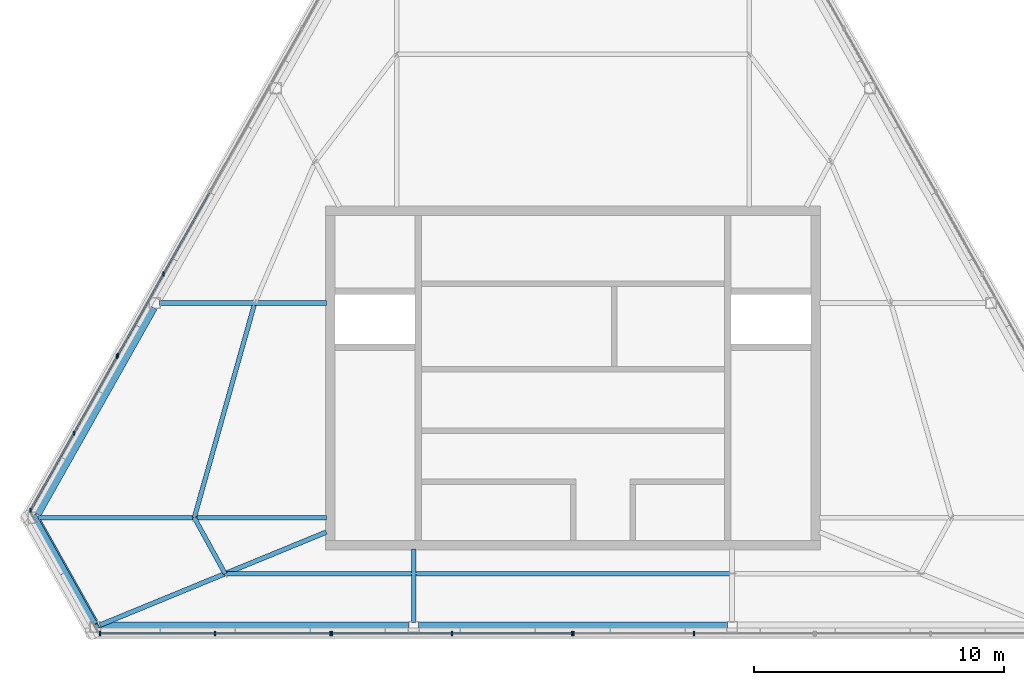
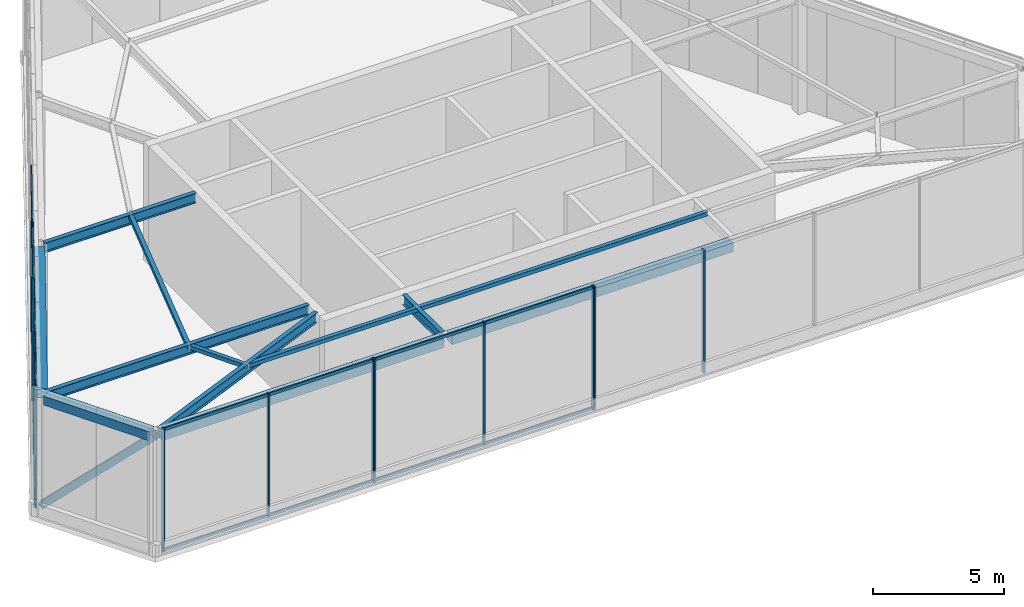
# One storey, part 2 of 12: 26 members, 8 beams, 5 elements without a shape of their own.
"""IFC4 building model written with IfcOpenShell, lengths in metres."""

from ifc_helpers import new_model, si_unit, direction, frame, origin, origin_2d, place, context, subcontext, project, spatial, rectangle, hollow_rectangle, i_section, extrude, material, layer, layer_set, material_profile, profile_set, type_object, element, aggregate, save


model = new_model("IFC4")

# Units and contexts
model_context = context("Model", 3, precision=1e-05, world=origin(), true_north=direction((0.0, 1.0)))
body_context = subcontext(model_context, "Body", "Model", "MODEL_VIEW")
ifc_project = project(units=[si_unit("LENGTHUNIT", "METRE"), si_unit("AREAUNIT", "SQUARE_METRE"), si_unit("VOLUMEUNIT", "CUBIC_METRE"), si_unit("PLANEANGLEUNIT", "RADIAN"), si_unit("MASSUNIT", "GRAM", prefix="KILO")], contexts=[model_context])

# Site, building, storey
site_placement = place(None, origin())
site = spatial("IfcSite", under=ifc_project, at=site_placement, CompositionType="ELEMENT")
building_placement = place(site_placement, origin())
building = spatial("IfcBuilding", under=site, at=building_placement, Name="Kavelnor Concourse Tower", CompositionType="ELEMENT")
storey_placement = place(building_placement, frame((0.0, 0.0, 315.699951171875)))
storey = spatial("IfcBuildingStorey", under=building, at=storey_placement, Name="L79", CompositionType="ELEMENT", Elevation=315.699951171875)

# Beams
ifc_material_1 = material(Name="Steel Grade 350", Category="steel")
ifc_material_profile_1 = material_profile(ifc_material_1, hollow_rectangle(XDim=0.419921875, YDim=0.419921875, WallThickness=0.02001953125, at=origin_2d()), Name="RHS 420x420x20")
ifc_profile_set_1 = profile_set([ifc_material_profile_1], Name="Steel Grade 350")
beam_type_1 = type_object("IfcBeamType", Name="BM-CROWN-CAP-420", PredefinedType="BEAM", material=ifc_profile_set_1)
beam_1_placement = place(storey_placement, frame((21.182373046875, 18.931640625, 5.31005859375), z_axis=(-0.490736882662, -0.871307817017, 0.0), x_axis=(0.871307817017, -0.490736882662, 0.0)))
element("IfcBeam", 1, at=beam_1_placement, inside=storey, type_object=beam_type_1, Name="L79 Crown Frame Cap Ring Beam 03", PredefinedType="BEAM", context=body_context, shape_type="SweptSolid", body=[
    extrude(hollow_rectangle(XDim=0.419921875, YDim=0.419921875, WallThickness=0.02001953125, at=origin_2d()), origin(), (0.0, 0.0, 1.0), 9.478271484375),
])
beam_2_placement = place(storey_placement, frame((16.531005859375, 10.342041015625, 5.31005859375), z_axis=(0.490715989154, -0.871319584302, 0.0), x_axis=(0.871319584302, 0.490715989154, 0.0)))
element("IfcBeam", 2, at=beam_2_placement, inside=storey, type_object=beam_type_1, Name="L79 Crown Frame Cap Ring Beam 04", PredefinedType="BEAM", context=body_context, shape_type="SweptSolid", body=[
    extrude(hollow_rectangle(XDim=0.419921875, YDim=0.419921875, WallThickness=0.02001953125, at=origin_2d()), origin(), (0.0, 0.0, 1.0), 4.638427734375),
])
beam_3_placement = place(storey_placement, frame((19.09033203125, 6.135009765625, 5.31005859375), z_axis=(1.0, 0.0, 0.0), x_axis=(0.0, 1.0, 0.0)))
element("IfcBeam", 3, at=beam_3_placement, inside=storey, type_object=beam_type_1, Name="L79 Crown Frame Cap Ring Beam 05", PredefinedType="BEAM", context=body_context, shape_type="SweptSolid", body=[
    extrude(hollow_rectangle(XDim=0.419921875, YDim=0.419921875, WallThickness=0.02001953125, at=origin_2d()), origin(), (0.0, 0.0, 1.0), 12.353271484375),
])
beam_4_placement = place(storey_placement, frame((31.823486328125, 6.135009765625, 5.31005859375), z_axis=(1.0, 0.0, 0.0), x_axis=(0.0, 1.0, 0.0)))
element("IfcBeam", 4, at=beam_4_placement, inside=storey, type_object=beam_type_1, Name="L79 Crown Frame Cap Ring Beam 06", PredefinedType="BEAM", context=body_context, shape_type="SweptSolid", body=[
    extrude(hollow_rectangle(XDim=0.419921875, YDim=0.419921875, WallThickness=0.02001953125, at=origin_2d()), origin(), (0.0, 0.0, 1.0), 12.35302734375),
])
ifc_material_profile_2 = material_profile(ifc_material_1, i_section(OverallWidth=0.18994140625, OverallDepth=0.4541015625, WebThickness=0.008544921875, FlangeThickness=0.0126953125, at=origin_2d()), Name="460UB67")
ifc_profile_set_2 = profile_set([ifc_material_profile_2], Name="Steel Grade 350")
beam_type_2 = type_object("IfcBeamType", Name="BM-PRIMARY-460", PredefinedType="BEAM", material=ifc_profile_set_2)
beam_5_placement = place(storey_placement, frame((28.139892578125, 19.09716796875, 5.29296875), z_axis=(-1.0, 0.0, 0.0), x_axis=(0.0, -1.0, 0.0)))
element("IfcBeam", 5, at=beam_5_placement, inside=storey, type_object=beam_type_2, Name="L79 Crown Frame Radial Girder F0B4", PredefinedType="BEAM", context=body_context, shape_type="SweptSolid", body=[
    extrude(i_section(OverallWidth=0.18994140625, OverallDepth=0.4541015625, WebThickness=0.008544921875, FlangeThickness=0.0126953125, at=origin_2d()), origin(), (0.0, 0.0, 1.0), 6.679443359375),
])
beam_6_placement = place(storey_placement, frame((28.139892578125, 10.507568359375, 5.29296875), z_axis=(-1.0, 0.0, 0.0), x_axis=(0.0, -1.0, 0.0)))
element("IfcBeam", 6, at=beam_6_placement, inside=storey, type_object=beam_type_2, Name="L79 Crown Frame Radial Girder F0B6", PredefinedType="BEAM", context=body_context, shape_type="SweptSolid", body=[
    extrude(i_section(OverallWidth=0.18994140625, OverallDepth=0.4541015625, WebThickness=0.008544921875, FlangeThickness=0.0126953125, at=origin_2d()), origin(), (0.0, 0.0, 1.0), 11.51708984375),
])
beam_7_placement = place(storey_placement, frame((28.136962890625, 9.930419921875, 5.29296875), z_axis=(-0.924961076242, -0.380061846858, 0.0), x_axis=(0.380061846858, -0.924961076242, 0.0)))
element("IfcBeam", 7, at=beam_7_placement, inside=storey, type_object=beam_type_2, Name="L79 Crown Frame Radial Girder F1B0", PredefinedType="BEAM", context=body_context, shape_type="SweptSolid", body=[
    extrude(i_section(OverallWidth=0.18994140625, OverallDepth=0.4541015625, WebThickness=0.008544921875, FlangeThickness=0.0126953125, at=origin_2d()), origin(), (0.0, 0.0, 1.0), 9.78271484375),
])
beam_8_placement = place(storey_placement, frame((31.633544921875, 9.260009765625, 5.29296875), z_axis=(0.0, -1.0, 0.0), x_axis=(1.0, 0.0, 0.0)))
element("IfcBeam", 8, at=beam_8_placement, inside=storey, type_object=beam_type_2, Name="L79 Crown Frame Radial Girder F1B2", PredefinedType="BEAM", context=body_context, shape_type="SweptSolid", body=[
    extrude(i_section(OverallWidth=0.18994140625, OverallDepth=0.4541015625, WebThickness=0.008544921875, FlangeThickness=0.0126953125, at=origin_2d()), origin(), (0.0, 0.0, 1.0), 2.93994140625),
])

# Curtain wall, members
ifc_material_2 = material(Name="Anodised aluminium 6063-T6", Category="aluminium")
ifc_layer = layer(ifc_material_2, 0.1650390625, Name="Anodised aluminium 6063-T6")
ifc_layer_set = layer_set([ifc_layer], Name="Anodised aluminium 6063-T6")
curtain_wall_type = type_object("IfcCurtainWallType", Name="CW-CROWN-SCREEN", PredefinedType="NOTDEFINED", material=ifc_layer_set)
curtain_wall_1_placement = place(storey_placement, origin())
curtain_wall_1 = element("IfcCurtainWall", 9, at=curtain_wall_1_placement, inside=storey, type_object=curtain_wall_type, Name="L79 Crown Fritted Screen Curtain Wall E1-S3", PredefinedType="NOTDEFINED")
ifc_material_profile_3 = material_profile(ifc_material_2, rectangle(XDim=0.06005859375, YDim=0.1650390625, at=origin_2d()), Name="AL-MULL 60x165")
ifc_profile_set_3 = profile_set([ifc_material_profile_3], Name="Anodised aluminium 6063-T6")
member_type_1 = type_object("IfcMemberType", Name="CW-CROWN-SCREEN-MULL", PredefinedType="MULLION", material=ifc_profile_set_3)
member_1_placement = place(storey_placement, frame((21.627197265625, 20.251708984375, 0.0), z_axis=(0.0, 0.0, 1.0), x_axis=(1.0, 0.0, 0.0)))
member_1 = element("IfcMember", 10, at=member_1_placement, type_object=member_type_1, Name="L79 Crown Fritted Screen Curtain Wall E1-S3 Mullion 1", PredefinedType="MULLION", context=body_context, shape_type="SweptSolid", body=[
    extrude(rectangle(XDim=0.06005859375, YDim=0.1650390625, at=origin_2d()), origin(), (0.0, 0.0, 1.0), 5.72998046875),
])
member_2_placement = place(storey_placement, frame((19.798828125, 17.00537109375, 0.0), z_axis=(0.0, 0.0, 1.0), x_axis=(1.0, 0.0, 0.0)))
member_2 = element("IfcMember", 11, at=member_2_placement, type_object=member_type_1, Name="L79 Crown Fritted Screen Curtain Wall E1-S3 Mullion 2", PredefinedType="MULLION", context=body_context, shape_type="SweptSolid", body=[
    extrude(rectangle(XDim=0.06005859375, YDim=0.1650390625, at=origin_2d()), origin(), (0.0, 0.0, 1.0), 5.72998046875),
])

curtain_wall_2_placement = place(storey_placement, origin())
curtain_wall_2 = element("IfcCurtainWall", 12, at=curtain_wall_2_placement, inside=storey, type_object=curtain_wall_type, Name="L79 Crown Fritted Screen Curtain Wall E1-S4", PredefinedType="NOTDEFINED")
member_3_placement = place(storey_placement, frame((19.76953125, 16.953125, 0.0), z_axis=(0.0, 0.0, 1.0), x_axis=(1.0, 0.0, 0.0)))
member_3 = element("IfcMember", 13, at=member_3_placement, type_object=member_type_1, Name="L79 Crown Fritted Screen Curtain Wall E1-S4 Mullion 0", PredefinedType="MULLION", context=body_context, shape_type="SweptSolid", body=[
    extrude(rectangle(XDim=0.06005859375, YDim=0.1650390625, at=origin_2d()), origin(), (0.0, 0.0, 1.0), 5.72998046875),
])
member_4_placement = place(storey_placement, frame((18.039306640625, 13.881103515625, 0.0), z_axis=(0.0, 0.0, 1.0), x_axis=(1.0, 0.0, 0.0)))
member_4 = element("IfcMember", 14, at=member_4_placement, type_object=member_type_1, Name="L79 Crown Fritted Screen Curtain Wall E1-S4 Mullion 1", PredefinedType="MULLION", context=body_context, shape_type="SweptSolid", body=[
    extrude(rectangle(XDim=0.06005859375, YDim=0.1650390625, at=origin_2d()), origin(), (0.0, 0.0, 1.0), 5.72998046875),
])
member_5_placement = place(storey_placement, frame((16.30908203125, 10.80908203125, 0.0), z_axis=(0.0, 0.0, 1.0), x_axis=(1.0, 0.0, 0.0)))
member_5 = element("IfcMember", 15, at=member_5_placement, type_object=member_type_1, Name="L79 Crown Fritted Screen Curtain Wall E1-S4 Mullion 2", PredefinedType="MULLION", context=body_context, shape_type="SweptSolid", body=[
    extrude(rectangle(XDim=0.06005859375, YDim=0.1650390625, at=origin_2d()), origin(), (0.0, 0.0, 1.0), 5.72998046875),
])

curtain_wall_3_placement = place(storey_placement, origin())
curtain_wall_3 = element("IfcCurtainWall", 16, at=curtain_wall_3_placement, inside=storey, type_object=curtain_wall_type, Name="L79 Crown Fritted Screen Curtain Wall E3-S1", PredefinedType="NOTDEFINED")
member_6_placement = place(storey_placement, frame((19.08984375, 5.875, 0.0), z_axis=(0.0, 0.0, 1.0), x_axis=(1.0, 0.0, 0.0)))
member_6 = element("IfcMember", 17, at=member_6_placement, type_object=member_type_1, Name="L79 Crown Fritted Screen Curtain Wall E3-S1 Mullion 0", PredefinedType="MULLION", context=body_context, shape_type="SweptSolid", body=[
    extrude(rectangle(XDim=0.06005859375, YDim=0.1650390625, at=origin_2d()), origin(), (0.0, 0.0, 1.0), 5.72998046875),
])
member_7_placement = place(storey_placement, frame((23.69482421875, 5.875, 0.0), z_axis=(0.0, 0.0, 1.0), x_axis=(1.0, 0.0, 0.0)))
member_7 = element("IfcMember", 18, at=member_7_placement, type_object=member_type_1, Name="L79 Crown Fritted Screen Curtain Wall E3-S1 Mullion 1", PredefinedType="MULLION", context=body_context, shape_type="SweptSolid", body=[
    extrude(rectangle(XDim=0.06005859375, YDim=0.1650390625, at=origin_2d()), origin(), (0.0, 0.0, 1.0), 5.72998046875),
])
member_8_placement = place(storey_placement, frame((28.2998046875, 5.875, 0.0), z_axis=(0.0, 0.0, 1.0), x_axis=(1.0, 0.0, 0.0)))
member_8 = element("IfcMember", 19, at=member_8_placement, type_object=member_type_1, Name="L79 Crown Fritted Screen Curtain Wall E3-S1 Mullion 2", PredefinedType="MULLION", context=body_context, shape_type="SweptSolid", body=[
    extrude(rectangle(XDim=0.06005859375, YDim=0.1650390625, at=origin_2d()), origin(), (0.0, 0.0, 1.0), 5.72998046875),
])

curtain_wall_4_placement = place(storey_placement, origin())
curtain_wall_4 = element("IfcCurtainWall", 20, at=curtain_wall_4_placement, inside=storey, type_object=curtain_wall_type, Name="L79 Crown Fritted Screen Curtain Wall E3-S2", PredefinedType="NOTDEFINED")
member_9_placement = place(storey_placement, frame((28.360107421875, 5.875, 0.0), z_axis=(0.0, 0.0, 1.0), x_axis=(1.0, 0.0, 0.0)))
member_9 = element("IfcMember", 21, at=member_9_placement, type_object=member_type_1, Name="L79 Crown Fritted Screen Curtain Wall E3-S2 Mullion 0", PredefinedType="MULLION", context=body_context, shape_type="SweptSolid", body=[
    extrude(rectangle(XDim=0.06005859375, YDim=0.1650390625, at=origin_2d()), origin(), (0.0, 0.0, 1.0), 5.72998046875),
])
member_10_placement = place(storey_placement, frame((33.1650390625, 5.875, 0.0), z_axis=(0.0, 0.0, 1.0), x_axis=(1.0, 0.0, 0.0)))
member_10 = element("IfcMember", 22, at=member_10_placement, type_object=member_type_1, Name="L79 Crown Fritted Screen Curtain Wall E3-S2 Mullion 1", PredefinedType="MULLION", context=body_context, shape_type="SweptSolid", body=[
    extrude(rectangle(XDim=0.06005859375, YDim=0.1650390625, at=origin_2d()), origin(), (0.0, 0.0, 1.0), 5.72998046875),
])
member_11_placement = place(storey_placement, frame((37.969970703125, 5.875, 0.0), z_axis=(0.0, 0.0, 1.0), x_axis=(1.0, 0.0, 0.0)))
member_11 = element("IfcMember", 23, at=member_11_placement, type_object=member_type_1, Name="L79 Crown Fritted Screen Curtain Wall E3-S2 Mullion 2", PredefinedType="MULLION", context=body_context, shape_type="SweptSolid", body=[
    extrude(rectangle(XDim=0.06005859375, YDim=0.1650390625, at=origin_2d()), origin(), (0.0, 0.0, 1.0), 5.72998046875),
])

curtain_wall_5_placement = place(storey_placement, origin())
curtain_wall_5 = element("IfcCurtainWall", 24, at=curtain_wall_5_placement, inside=storey, type_object=curtain_wall_type, Name="L79 Crown Fritted Screen Curtain Wall E3-S3", PredefinedType="NOTDEFINED")
member_12_placement = place(storey_placement, frame((38.030029296875, 5.875, 0.0), z_axis=(0.0, 0.0, 1.0), x_axis=(1.0, 0.0, 0.0)))
member_12 = element("IfcMember", 25, at=member_12_placement, type_object=member_type_1, Name="L79 Crown Fritted Screen Curtain Wall E3-S3 Mullion 0", PredefinedType="MULLION", context=body_context, shape_type="SweptSolid", body=[
    extrude(rectangle(XDim=0.06005859375, YDim=0.1650390625, at=origin_2d()), origin(), (0.0, 0.0, 1.0), 5.72998046875),
])
member_13_placement = place(storey_placement, frame((42.8349609375, 5.875, 0.0), z_axis=(0.0, 0.0, 1.0), x_axis=(1.0, 0.0, 0.0)))
member_13 = element("IfcMember", 26, at=member_13_placement, type_object=member_type_1, Name="L79 Crown Fritted Screen Curtain Wall E3-S3 Mullion 1", PredefinedType="MULLION", context=body_context, shape_type="SweptSolid", body=[
    extrude(rectangle(XDim=0.06005859375, YDim=0.1650390625, at=origin_2d()), origin(), (0.0, 0.0, 1.0), 5.72998046875),
])
aggregate(curtain_wall_5, [member_12, member_13])

# Member
ifc_material_profile_4 = material_profile(ifc_material_2, rectangle(XDim=0.06005859375, YDim=0.135009765625, at=origin_2d()), Name="AL-TRAN 60x135")
ifc_profile_set_4 = profile_set([ifc_material_profile_4], Name="Anodised aluminium 6063-T6")
member_type_2 = type_object("IfcMemberType", Name="CW-CROWN-SCREEN-TRAN", PredefinedType="USERDEFINED", material=ifc_profile_set_4)
member_14_placement = place(storey_placement, frame((23.45556640625, 23.497802734375, 0.06005859375), z_axis=(-0.490744949201, -0.871303273742, 0.0), x_axis=(0.871303273742, -0.490744949201, 0.0)))
member_14 = element("IfcMember", 27, at=member_14_placement, type_object=member_type_2, Name="L79 Crown Fritted Screen Curtain Wall E1-S3 Transom 0-BOT", ObjectType="TRANSOM", PredefinedType="USERDEFINED", context=body_context, shape_type="SweptSolid", body=[
    extrude(rectangle(XDim=0.06005859375, YDim=0.135009765625, at=origin_2d()), origin(), (0.0, 0.0, 1.0), 7.451416015625),
])

member_15_placement = place(storey_placement, frame((23.45556640625, 23.497802734375, 5.670166015625), z_axis=(-0.490744949201, -0.871303273742, 0.0), x_axis=(0.871303273742, -0.490744949201, 0.0)))
member_15 = element("IfcMember", 28, at=member_15_placement, type_object=member_type_2, Name="L79 Crown Fritted Screen Curtain Wall E1-S3 Transom 0-TOP", ObjectType="TRANSOM", PredefinedType="USERDEFINED", context=body_context, shape_type="SweptSolid", body=[
    extrude(rectangle(XDim=0.06005859375, YDim=0.135009765625, at=origin_2d()), origin(), (0.0, 0.0, 1.0), 7.451416015625),
])

aggregate(curtain_wall_1, [member_1, member_2, member_14, member_15])

member_16_placement = place(storey_placement, frame((19.76953125, 16.953125, 0.06005859375), z_axis=(-0.49073786638, -0.871307262968, 0.0), x_axis=(0.871307262968, -0.49073786638, 0.0)))
member_16 = element("IfcMember", 29, at=member_16_placement, type_object=member_type_2, Name="L79 Crown Fritted Screen Curtain Wall E1-S4 Transom 0-BOT", ObjectType="TRANSOM", PredefinedType="USERDEFINED", context=body_context, shape_type="SweptSolid", body=[
    extrude(rectangle(XDim=0.06005859375, YDim=0.135009765625, at=origin_2d()), origin(), (0.0, 0.0, 1.0), 7.051513671875),
])

member_17_placement = place(storey_placement, frame((19.76953125, 16.953125, 5.670166015625), z_axis=(-0.49073786638, -0.871307262968, 0.0), x_axis=(0.871307262968, -0.49073786638, 0.0)))
member_17 = element("IfcMember", 30, at=member_17_placement, type_object=member_type_2, Name="L79 Crown Fritted Screen Curtain Wall E1-S4 Transom 0-TOP", ObjectType="TRANSOM", PredefinedType="USERDEFINED", context=body_context, shape_type="SweptSolid", body=[
    extrude(rectangle(XDim=0.06005859375, YDim=0.135009765625, at=origin_2d()), origin(), (0.0, 0.0, 1.0), 7.051513671875),
])

aggregate(curtain_wall_2, [member_3, member_4, member_5, member_16, member_17])

member_18_placement = place(storey_placement, frame((19.08984375, 5.875, 0.06005859375), z_axis=(1.0, 0.0, 0.0), x_axis=(0.0, 1.0, 0.0)))
member_18 = element("IfcMember", 31, at=member_18_placement, type_object=member_type_2, Name="L79 Crown Fritted Screen Curtain Wall E3-S1 Transom 0-BOT", ObjectType="TRANSOM", PredefinedType="USERDEFINED", context=body_context, shape_type="SweptSolid", body=[
    extrude(rectangle(XDim=0.06005859375, YDim=0.135009765625, at=origin_2d()), origin(), (0.0, 0.0, 1.0), 9.2099609375),
])

member_19_placement = place(storey_placement, frame((19.08984375, 5.875, 5.670166015625), z_axis=(1.0, 0.0, 0.0), x_axis=(0.0, 1.0, 0.0)))
member_19 = element("IfcMember", 32, at=member_19_placement, type_object=member_type_2, Name="L79 Crown Fritted Screen Curtain Wall E3-S1 Transom 0-TOP", ObjectType="TRANSOM", PredefinedType="USERDEFINED", context=body_context, shape_type="SweptSolid", body=[
    extrude(rectangle(XDim=0.06005859375, YDim=0.135009765625, at=origin_2d()), origin(), (0.0, 0.0, 1.0), 9.2099609375),
])

aggregate(curtain_wall_3, [member_6, member_7, member_8, member_18, member_19])

member_20_placement = place(storey_placement, frame((28.360107421875, 5.875, 0.06005859375), z_axis=(1.0, 0.0, 0.0), x_axis=(0.0, 1.0, 0.0)))
member_20 = element("IfcMember", 33, at=member_20_placement, type_object=member_type_2, Name="L79 Crown Fritted Screen Curtain Wall E3-S2 Transom 0-BOT", ObjectType="TRANSOM", PredefinedType="USERDEFINED", context=body_context, shape_type="SweptSolid", body=[
    extrude(rectangle(XDim=0.06005859375, YDim=0.135009765625, at=origin_2d()), origin(), (0.0, 0.0, 1.0), 9.60986328125),
])

member_21_placement = place(storey_placement, frame((28.360107421875, 5.875, 5.670166015625), z_axis=(1.0, 0.0, 0.0), x_axis=(0.0, 1.0, 0.0)))
member_21 = element("IfcMember", 34, at=member_21_placement, type_object=member_type_2, Name="L79 Crown Fritted Screen Curtain Wall E3-S2 Transom 0-TOP", ObjectType="TRANSOM", PredefinedType="USERDEFINED", context=body_context, shape_type="SweptSolid", body=[
    extrude(rectangle(XDim=0.06005859375, YDim=0.135009765625, at=origin_2d()), origin(), (0.0, 0.0, 1.0), 9.60986328125),
])

aggregate(curtain_wall_4, [member_9, member_10, member_11, member_20, member_21])

# Members
ifc_material_profile_5 = material_profile(ifc_material_1, hollow_rectangle(XDim=0.300048828125, YDim=0.300048828125, WallThickness=0.01611328125, at=origin_2d()), Name="SHS 300x300x16")
ifc_profile_set_5 = profile_set([ifc_material_profile_5], Name="Steel Grade 350")
member_type_3 = type_object("IfcMemberType", Name="MBR-CROWN-BRACE-300", PredefinedType="BRACE", material=ifc_profile_set_5)
member_22_placement = place(storey_placement, frame((16.437744140625, 10.507568359375, 0.300048828125), z_axis=(0.347285584994, -0.616623855184, 0.706518042001), x_axis=(0.871312964664, 0.490727742857, 0.0)))
element("IfcMember", 35, at=member_22_placement, inside=storey, type_object=member_type_3, Name="L79 Crown Frame Diagonal Brace 04", PredefinedType="BRACE", context=body_context, shape_type="SweptSolid", body=[
    extrude(hollow_rectangle(XDim=0.300048828125, YDim=0.300048828125, WallThickness=0.01611328125, at=origin_2d()), origin(), (0.0, 0.0, 1.0), 7.091064453125),
])
ifc_material_profile_6 = material_profile(ifc_material_1, hollow_rectangle(XDim=0.179931640625, YDim=0.179931640625, WallThickness=0.010009765625, at=origin_2d()), Name="SHS 180x180x10")
ifc_profile_set_6 = profile_set([ifc_material_profile_6], Name="Steel Grade 350")
member_type_4 = type_object("IfcMemberType", Name="MBR-ROOF-PURLIN-180", PredefinedType="PURLIN", material=ifc_profile_set_6)
member_23_placement = place(storey_placement, frame((25.27783203125, 19.09716796875, 5.429931640625), z_axis=(-0.271069606961, -0.962559747851, 0.0), x_axis=(0.962559747851, -0.271069606961, 0.0)))
element("IfcMember", 36, at=member_23_placement, inside=storey, type_object=member_type_4, Name="L79 Crown Roof Purlin 03", PredefinedType="PURLIN", context=body_context, shape_type="SweptSolid", body=[
    extrude(hollow_rectangle(XDim=0.179931640625, YDim=0.179931640625, WallThickness=0.010009765625, at=origin_2d()), origin(), (0.0, 0.0, 1.0), 8.923583984375),
])
member_24_placement = place(storey_placement, frame((22.85888671875, 10.507568359375, 5.429931640625), z_axis=(0.481680403632, -0.876346956837, 0.0), x_axis=(0.876346956837, 0.481680403632, 0.0)))
element("IfcMember", 37, at=member_24_placement, inside=storey, type_object=member_type_4, Name="L79 Crown Roof Purlin 04", PredefinedType="PURLIN", context=body_context, shape_type="SweptSolid", body=[
    extrude(hollow_rectangle(XDim=0.179931640625, YDim=0.179931640625, WallThickness=0.010009765625, at=origin_2d()), origin(), (0.0, 0.0, 1.0), 2.55615234375),
])
member_25_placement = place(storey_placement, frame((24.090087890625, 8.267578125, 5.429931640625), z_axis=(1.0, 0.0, 0.0), x_axis=(0.0, 1.0, 0.0)))
element("IfcMember", 38, at=member_25_placement, inside=storey, type_object=member_type_4, Name="L79 Crown Roof Purlin 05", PredefinedType="PURLIN", context=body_context, shape_type="SweptSolid", body=[
    extrude(hollow_rectangle(XDim=0.179931640625, YDim=0.179931640625, WallThickness=0.010009765625, at=origin_2d()), origin(), (0.0, 0.0, 1.0), 7.54345703125),
])
member_26_placement = place(storey_placement, frame((31.633544921875, 8.267578125, 5.429931640625), z_axis=(1.0, 0.0, 0.0), x_axis=(0.0, 1.0, 0.0)))
element("IfcMember", 39, at=member_26_placement, inside=storey, type_object=member_type_4, Name="L79 Crown Roof Purlin 06", PredefinedType="PURLIN", context=body_context, shape_type="SweptSolid", body=[
    extrude(hollow_rectangle(XDim=0.179931640625, YDim=0.179931640625, WallThickness=0.010009765625, at=origin_2d()), origin(), (0.0, 0.0, 1.0), 12.73291015625),
])

save(model, "model.ifc")
